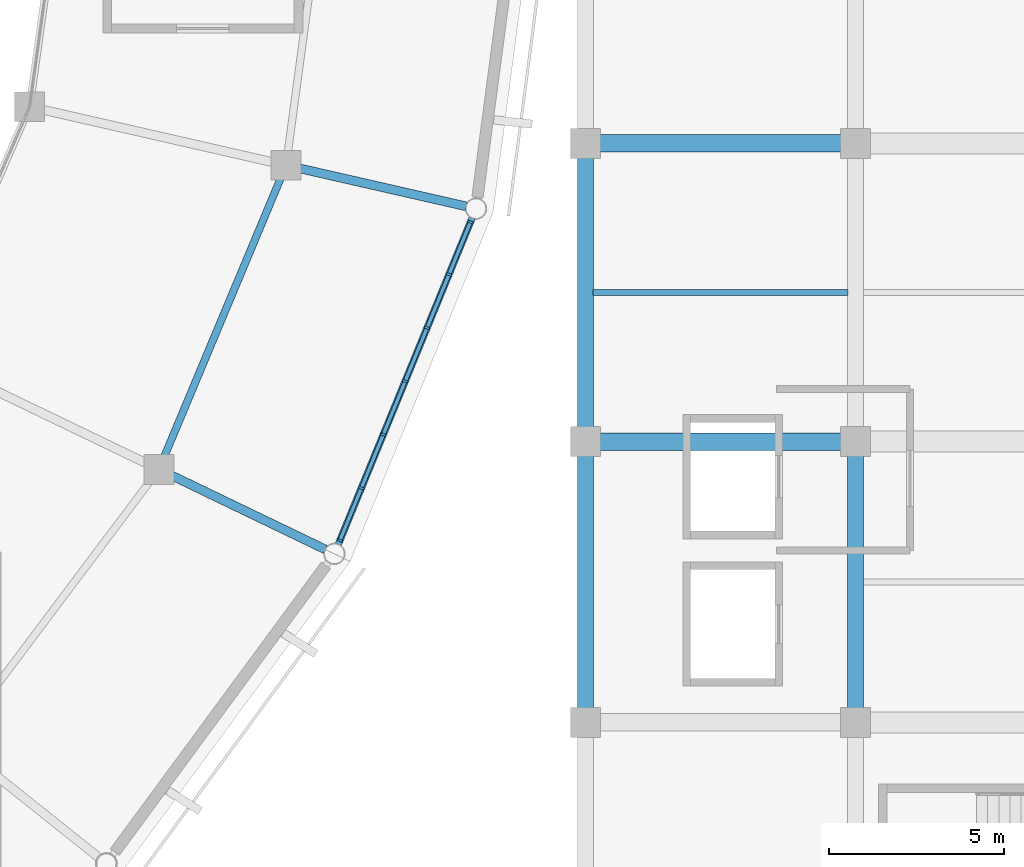
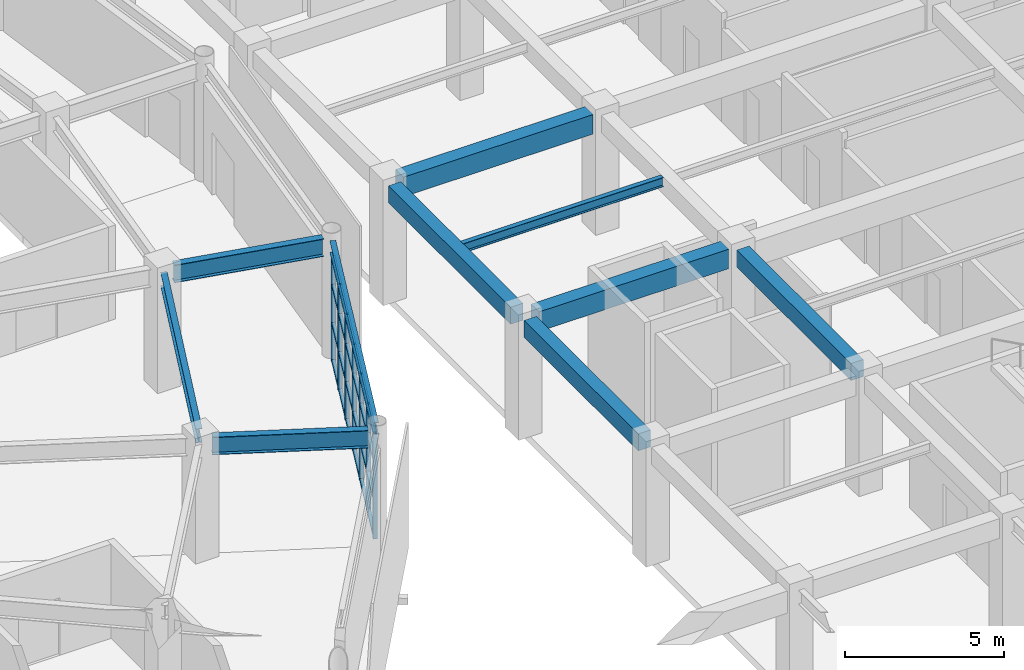
# One storey, part 54 of 112: 31 members, 10 beams, 1 element without a shape of its own.
"""IFC4 building model written with IfcOpenShell, lengths in metres."""

from ifc_helpers import new_model, si_unit, direction, frame, origin, origin_2d, place, context, subcontext, project, spatial, rectangle, i_section, extrude, material, material_profile, profile_set, type_object, element, aggregate, save


model = new_model("IFC4")

# Units and contexts
model_context = context("Model", 3, precision=1e-05, world=origin(), true_north=direction((0.0, 1.0)))
body_context = subcontext(model_context, "Body", "Model", "MODEL_VIEW")
ifc_project = project(units=[si_unit("LENGTHUNIT", "METRE"), si_unit("AREAUNIT", "SQUARE_METRE"), si_unit("VOLUMEUNIT", "CUBIC_METRE"), si_unit("PLANEANGLEUNIT", "RADIAN"), si_unit("MASSUNIT", "GRAM", prefix="KILO")], contexts=[model_context])

# Site, building, storey
site_placement = place(None, origin())
site = spatial("IfcSite", under=ifc_project, at=site_placement, CompositionType="ELEMENT")
building_placement = place(site_placement, origin())
building = spatial("IfcBuilding", under=site, at=building_placement, Name="Cuetzalor Civic Arena", CompositionType="ELEMENT")
storey_placement = place(building_placement, frame((0.0, 0.0, 11.39990234375)))
storey = spatial("IfcBuildingStorey", under=building, at=storey_placement, Name="L02", CompositionType="ELEMENT", Elevation=11.39990234375)

# Beams
ifc_material_1 = material(Name="Concrete C40/50", Category="concrete")
ifc_material_profile_1 = material_profile(ifc_material_1, rectangle(XDim=0.5, YDim=0.75, at=origin_2d()), Name="RC 500x750")
ifc_profile_set_1 = profile_set([ifc_material_profile_1], Name="Concrete C40/50")
beam_type_1 = type_object("IfcBeamType", Name="ConcreteFrameBeam_500x750", PredefinedType="BEAM", material=ifc_profile_set_1)
for number, where, z_axis, x_axis, name in (
    (1, (56.715087890625, -17.0, 4.14501953125), (1.0, 0.0, 0.0), (0.0, 1.0, 0.0), "Frame Girder V4E-L02-X0715"),
    (2, (56.715087890625, -8.5, 4.14501953125), (1.0, 0.0, 0.0), (0.0, 1.0, 0.0), "Frame Girder V4E-L02-X0718"),
):
    element("IfcBeam", number, at=place(storey_placement, frame(where, z_axis=z_axis, x_axis=x_axis)), inside=storey, type_object=beam_type_1, Name=name, PredefinedType="BEAM", context=body_context, shape_type="SweptSolid", body=[
        extrude(rectangle(XDim=0.5, YDim=0.75, at=origin_2d()), origin(), (0.0, 0.0, 1.0), 6.869873046875),
    ])
ifc_material_2 = material(Name="Concrete C40/50", Category="concrete")
ifc_material_profile_2 = material_profile(ifc_material_2, rectangle(XDim=0.449951171875, YDim=0.64990234375, at=origin_2d()), Name="RC 450x650")
ifc_profile_set_2 = profile_set([ifc_material_profile_2], Name="Concrete C40/50")
beam_type_2 = type_object("IfcBeamType", Name="ConcreteTieBeam_450x650", PredefinedType="BEAM", material=ifc_profile_set_2)
beam_1_placement = place(storey_placement, frame((56.300048828125, -24.5849609375, 4.195068359375), z_axis=(0.0, 1.0, 0.0), x_axis=(-1.0, 0.0, 0.0)))
element("IfcBeam", 3, at=beam_1_placement, inside=storey, type_object=beam_type_2, Name="Frame Girder V4E-L02-Y0741", PredefinedType="BEAM", context=body_context, shape_type="SweptSolid", body=[
    extrude(rectangle(XDim=0.449951171875, YDim=0.64990234375, at=origin_2d()), origin(), (0.0, 0.0, 1.0), 7.169921875),
])
beam_2_placement = place(storey_placement, frame((56.300048828125, -16.5849609375, 4.195068359375), z_axis=(0.0, 1.0, 0.0), x_axis=(-1.0, 0.0, 0.0)))
element("IfcBeam", 4, at=beam_2_placement, inside=storey, type_object=beam_type_2, Name="Frame Girder V4E-L02-Y0742", PredefinedType="BEAM", context=body_context, shape_type="SweptSolid", body=[
    extrude(rectangle(XDim=0.449951171875, YDim=0.64990234375, at=origin_2d()), origin(), (0.0, 0.0, 1.0), 7.669921875),
])
beam_3_placement = place(storey_placement, frame((64.0, -24.5849609375, 4.195068359375), z_axis=(0.0, 1.0, 0.0), x_axis=(-1.0, 0.0, 0.0)))
element("IfcBeam", 5, at=beam_3_placement, inside=storey, type_object=beam_type_2, Name="Frame Girder V4E-L02-Y0751", PredefinedType="BEAM", context=body_context, shape_type="SweptSolid", body=[
    extrude(rectangle(XDim=0.449951171875, YDim=0.64990234375, at=origin_2d()), origin(), (0.0, 0.0, 1.0), 7.169921875),
])

# Curtain wall, members
ifc_material_3 = material(Name="Anodised dark bronze aluminium and low-E solar glass", Category="aluminium")
curtain_wall_type = type_object("IfcCurtainWallType", Name="UnitisedCW_9850x4050", PredefinedType="USERDEFINED", material=ifc_material_3)
curtain_wall_placement = place(storey_placement, origin())
curtain_wall = element("IfcCurtainWall", 6, at=curtain_wall_placement, inside=storey, type_object=curtain_wall_type, Name="Drum Triangle Foyer Curtain Wall L02-044", ObjectType="UNITISED CURTAIN WALL", PredefinedType="USERDEFINED")
ifc_material_4 = material(Name="Anodised dark bronze aluminium", Category="aluminium")
ifc_material_profile_3 = material_profile(ifc_material_4, rectangle(XDim=0.06494140625, YDim=0.14990234375, at=origin_2d()), Name="ALU MULLION 65x150")
ifc_profile_set_3 = profile_set([ifc_material_profile_3], Name="Anodised dark bronze aluminium")
member_type_1 = type_object("IfcMemberType", Name="CurtainWallMullion_60x150", PredefinedType="MULLION", material=ifc_profile_set_3)
member_1_placement = place(storey_placement, frame((53.02587890625, -10.739990234375, 0.0), z_axis=(0.0, 0.0, 1.0), x_axis=(-0.379391428583, -0.925236263836, 0.0)))
member_1 = element("IfcMember", 7, at=member_1_placement, type_object=member_type_1, Name="CW-17 mullion 1", PredefinedType="MULLION", context=body_context, shape_type="SweptSolid", body=[
    extrude(rectangle(XDim=0.06494140625, YDim=0.14990234375, at=origin_2d()), origin(), (0.0, 0.0, 1.0), 4.052978515625),
])
member_2_placement = place(storey_placement, frame((52.413818359375, -12.232421875, 0.0), z_axis=(0.0, 0.0, 1.0), x_axis=(-0.379391428583, -0.925236263836, 0.0)))
member_2 = element("IfcMember", 8, at=member_2_placement, type_object=member_type_1, Name="CW-17 mullion 2", PredefinedType="MULLION", context=body_context, shape_type="SweptSolid", body=[
    extrude(rectangle(XDim=0.06494140625, YDim=0.14990234375, at=origin_2d()), origin(), (0.0, 0.0, 1.0), 4.052978515625),
])
member_3_placement = place(storey_placement, frame((51.78955078125, -13.755126953125, 0.0), z_axis=(0.0, 0.0, 1.0), x_axis=(-0.379391428583, -0.925236263836, 0.0)))
member_3 = element("IfcMember", 9, at=member_3_placement, type_object=member_type_1, Name="CW-17 mullion 3", PredefinedType="MULLION", context=body_context, shape_type="SweptSolid", body=[
    extrude(rectangle(XDim=0.06494140625, YDim=0.14990234375, at=origin_2d()), origin(), (0.0, 0.0, 1.0), 4.052978515625),
])
member_4_placement = place(storey_placement, frame((51.1650390625, -15.27783203125, 0.0), z_axis=(0.0, 0.0, 1.0), x_axis=(-0.379391428583, -0.925236263836, 0.0)))
member_4 = element("IfcMember", 10, at=member_4_placement, type_object=member_type_1, Name="CW-17 mullion 4", PredefinedType="MULLION", context=body_context, shape_type="SweptSolid", body=[
    extrude(rectangle(XDim=0.06494140625, YDim=0.14990234375, at=origin_2d()), origin(), (0.0, 0.0, 1.0), 4.052978515625),
])
member_5_placement = place(storey_placement, frame((50.540771484375, -16.800537109375, 0.0), z_axis=(0.0, 0.0, 1.0), x_axis=(-0.379391428583, -0.925236263836, 0.0)))
member_5 = element("IfcMember", 11, at=member_5_placement, type_object=member_type_1, Name="CW-17 mullion 5", PredefinedType="MULLION", context=body_context, shape_type="SweptSolid", body=[
    extrude(rectangle(XDim=0.06494140625, YDim=0.14990234375, at=origin_2d()), origin(), (0.0, 0.0, 1.0), 4.052978515625),
])
member_6_placement = place(storey_placement, frame((49.916259765625, -18.3232421875, 0.0), z_axis=(0.0, 0.0, 1.0), x_axis=(-0.379391428583, -0.925236263836, 0.0)))
member_6 = element("IfcMember", 12, at=member_6_placement, type_object=member_type_1, Name="CW-17 mullion 6", PredefinedType="MULLION", context=body_context, shape_type="SweptSolid", body=[
    extrude(rectangle(XDim=0.06494140625, YDim=0.14990234375, at=origin_2d()), origin(), (0.0, 0.0, 1.0), 4.052978515625),
])
member_7_placement = place(storey_placement, frame((49.304443359375, -19.815673828125, 0.0), z_axis=(0.0, 0.0, 1.0), x_axis=(-0.379391428583, -0.925236263836, 0.0)))
member_7 = element("IfcMember", 13, at=member_7_placement, type_object=member_type_1, Name="CW-17 mullion 7", PredefinedType="MULLION", context=body_context, shape_type="SweptSolid", body=[
    extrude(rectangle(XDim=0.06494140625, YDim=0.14990234375, at=origin_2d()), origin(), (0.0, 0.0, 1.0), 4.052978515625),
])
ifc_material_5 = material(Name="Anodised dark bronze aluminium", Category="aluminium")
ifc_material_profile_4 = material_profile(ifc_material_5, rectangle(XDim=0.1201171875, YDim=0.06494140625, at=origin_2d()), Name="ALU TRANSOM 65x120")
ifc_profile_set_4 = profile_set([ifc_material_profile_4], Name="Anodised dark bronze aluminium")
member_type_2 = type_object("IfcMemberType", Name="CurtainWallTransom_60x120", PredefinedType="USERDEFINED", material=ifc_profile_set_4)
member_8_placement = place(storey_placement, frame((53.013427734375, -10.77001953125, 0.03271484375), z_axis=(-0.37928982406, -0.925277920067, 0.0), x_axis=(0.925277920067, -0.37928982406, 0.0)))
member_8 = element("IfcMember", 14, at=member_8_placement, type_object=member_type_2, Name="CW-17 transom 1.1", ObjectType="TRANSOM", PredefinedType="USERDEFINED", context=body_context, shape_type="SweptSolid", body=[
    extrude(rectangle(XDim=0.1201171875, YDim=0.06494140625, at=origin_2d()), origin(), (0.0, 0.0, 1.0), 1.548095703125),
])
member_9_placement = place(storey_placement, frame((53.013427734375, -10.77001953125, 1.458984375), z_axis=(-0.37928982406, -0.925277920067, 0.0), x_axis=(0.925277920067, -0.37928982406, 0.0)))
member_9 = element("IfcMember", 15, at=member_9_placement, type_object=member_type_2, Name="CW-17 transom 1.2", ObjectType="TRANSOM", PredefinedType="USERDEFINED", context=body_context, shape_type="SweptSolid", body=[
    extrude(rectangle(XDim=0.1201171875, YDim=0.06494140625, at=origin_2d()), origin(), (0.0, 0.0, 1.0), 1.548095703125),
])
member_10_placement = place(storey_placement, frame((53.013427734375, -10.77001953125, 2.918212890625), z_axis=(-0.37928982406, -0.925277920067, 0.0), x_axis=(0.925277920067, -0.37928982406, 0.0)))
member_10 = element("IfcMember", 16, at=member_10_placement, type_object=member_type_2, Name="CW-17 transom 1.3", ObjectType="TRANSOM", PredefinedType="USERDEFINED", context=body_context, shape_type="SweptSolid", body=[
    extrude(rectangle(XDim=0.1201171875, YDim=0.06494140625, at=origin_2d()), origin(), (0.0, 0.0, 1.0), 1.548095703125),
])
member_11_placement = place(storey_placement, frame((53.013427734375, -10.77001953125, 4.0205078125), z_axis=(-0.37928982406, -0.925277920067, 0.0), x_axis=(0.925277920067, -0.37928982406, 0.0)))
member_11 = element("IfcMember", 17, at=member_11_placement, type_object=member_type_2, Name="CW-17 transom 1.4", ObjectType="TRANSOM", PredefinedType="USERDEFINED", context=body_context, shape_type="SweptSolid", body=[
    extrude(rectangle(XDim=0.1201171875, YDim=0.06494140625, at=origin_2d()), origin(), (0.0, 0.0, 1.0), 1.548095703125),
])
member_12_placement = place(storey_placement, frame((52.401611328125, -12.262451171875, 0.03271484375), z_axis=(-0.379444503936, -0.925214498607, 0.0), x_axis=(0.925214498607, -0.379444503936, 0.0)))
member_12 = element("IfcMember", 18, at=member_12_placement, type_object=member_type_2, Name="CW-17 transom 2.1", ObjectType="TRANSOM", PredefinedType="USERDEFINED", context=body_context, shape_type="SweptSolid", body=[
    extrude(rectangle(XDim=0.1201171875, YDim=0.06494140625, at=origin_2d()), origin(), (0.0, 0.0, 1.0), 1.580810546875),
])
member_13_placement = place(storey_placement, frame((52.401611328125, -12.262451171875, 1.458984375), z_axis=(-0.379444503936, -0.925214498607, 0.0), x_axis=(0.925214498607, -0.379444503936, 0.0)))
member_13 = element("IfcMember", 19, at=member_13_placement, type_object=member_type_2, Name="CW-17 transom 2.2", ObjectType="TRANSOM", PredefinedType="USERDEFINED", context=body_context, shape_type="SweptSolid", body=[
    extrude(rectangle(XDim=0.1201171875, YDim=0.06494140625, at=origin_2d()), origin(), (0.0, 0.0, 1.0), 1.580810546875),
])
member_14_placement = place(storey_placement, frame((52.401611328125, -12.262451171875, 2.918212890625), z_axis=(-0.379444503936, -0.925214498607, 0.0), x_axis=(0.925214498607, -0.379444503936, 0.0)))
member_14 = element("IfcMember", 20, at=member_14_placement, type_object=member_type_2, Name="CW-17 transom 2.3", ObjectType="TRANSOM", PredefinedType="USERDEFINED", context=body_context, shape_type="SweptSolid", body=[
    extrude(rectangle(XDim=0.1201171875, YDim=0.06494140625, at=origin_2d()), origin(), (0.0, 0.0, 1.0), 1.580810546875),
])
member_15_placement = place(storey_placement, frame((52.401611328125, -12.262451171875, 4.0205078125), z_axis=(-0.379444503936, -0.925214498607, 0.0), x_axis=(0.925214498607, -0.379444503936, 0.0)))
member_15 = element("IfcMember", 21, at=member_15_placement, type_object=member_type_2, Name="CW-17 transom 2.4", ObjectType="TRANSOM", PredefinedType="USERDEFINED", context=body_context, shape_type="SweptSolid", body=[
    extrude(rectangle(XDim=0.1201171875, YDim=0.06494140625, at=origin_2d()), origin(), (0.0, 0.0, 1.0), 1.580810546875),
])
member_16_placement = place(storey_placement, frame((51.777099609375, -13.78515625, 0.03271484375), z_axis=(-0.379312293377, -0.925268709129, 0.0), x_axis=(0.925268709129, -0.379312293377, 0.0)))
member_16 = element("IfcMember", 22, at=member_16_placement, type_object=member_type_2, Name="CW-17 transom 3.1", ObjectType="TRANSOM", PredefinedType="USERDEFINED", context=body_context, shape_type="SweptSolid", body=[
    extrude(rectangle(XDim=0.1201171875, YDim=0.06494140625, at=origin_2d()), origin(), (0.0, 0.0, 1.0), 1.580810546875),
])
member_17_placement = place(storey_placement, frame((51.777099609375, -13.78515625, 1.458984375), z_axis=(-0.379312293377, -0.925268709129, 0.0), x_axis=(0.925268709129, -0.379312293377, 0.0)))
member_17 = element("IfcMember", 23, at=member_17_placement, type_object=member_type_2, Name="CW-17 transom 3.2", ObjectType="TRANSOM", PredefinedType="USERDEFINED", context=body_context, shape_type="SweptSolid", body=[
    extrude(rectangle(XDim=0.1201171875, YDim=0.06494140625, at=origin_2d()), origin(), (0.0, 0.0, 1.0), 1.580810546875),
])
member_18_placement = place(storey_placement, frame((51.777099609375, -13.78515625, 2.918212890625), z_axis=(-0.379312293377, -0.925268709129, 0.0), x_axis=(0.925268709129, -0.379312293377, 0.0)))
member_18 = element("IfcMember", 24, at=member_18_placement, type_object=member_type_2, Name="CW-17 transom 3.3", ObjectType="TRANSOM", PredefinedType="USERDEFINED", context=body_context, shape_type="SweptSolid", body=[
    extrude(rectangle(XDim=0.1201171875, YDim=0.06494140625, at=origin_2d()), origin(), (0.0, 0.0, 1.0), 1.580810546875),
])
member_19_placement = place(storey_placement, frame((51.777099609375, -13.78515625, 4.0205078125), z_axis=(-0.379312293377, -0.925268709129, 0.0), x_axis=(0.925268709129, -0.379312293377, 0.0)))
member_19 = element("IfcMember", 25, at=member_19_placement, type_object=member_type_2, Name="CW-17 transom 3.4", ObjectType="TRANSOM", PredefinedType="USERDEFINED", context=body_context, shape_type="SweptSolid", body=[
    extrude(rectangle(XDim=0.1201171875, YDim=0.06494140625, at=origin_2d()), origin(), (0.0, 0.0, 1.0), 1.580810546875),
])
member_20_placement = place(storey_placement, frame((51.15283203125, -15.307861328125, 0.03271484375), z_axis=(-0.379444503936, -0.925214498607, 0.0), x_axis=(0.925214498607, -0.379444503936, 0.0)))
member_20 = element("IfcMember", 26, at=member_20_placement, type_object=member_type_2, Name="CW-17 transom 4.1", ObjectType="TRANSOM", PredefinedType="USERDEFINED", context=body_context, shape_type="SweptSolid", body=[
    extrude(rectangle(XDim=0.1201171875, YDim=0.06494140625, at=origin_2d()), origin(), (0.0, 0.0, 1.0), 1.580810546875),
])
member_21_placement = place(storey_placement, frame((51.15283203125, -15.307861328125, 1.458984375), z_axis=(-0.379444503936, -0.925214498607, 0.0), x_axis=(0.925214498607, -0.379444503936, 0.0)))
member_21 = element("IfcMember", 27, at=member_21_placement, type_object=member_type_2, Name="CW-17 transom 4.2", ObjectType="TRANSOM", PredefinedType="USERDEFINED", context=body_context, shape_type="SweptSolid", body=[
    extrude(rectangle(XDim=0.1201171875, YDim=0.06494140625, at=origin_2d()), origin(), (0.0, 0.0, 1.0), 1.580810546875),
])
member_22_placement = place(storey_placement, frame((51.15283203125, -15.307861328125, 2.918212890625), z_axis=(-0.379444503936, -0.925214498607, 0.0), x_axis=(0.925214498607, -0.379444503936, 0.0)))
member_22 = element("IfcMember", 28, at=member_22_placement, type_object=member_type_2, Name="CW-17 transom 4.3", ObjectType="TRANSOM", PredefinedType="USERDEFINED", context=body_context, shape_type="SweptSolid", body=[
    extrude(rectangle(XDim=0.1201171875, YDim=0.06494140625, at=origin_2d()), origin(), (0.0, 0.0, 1.0), 1.580810546875),
])
member_23_placement = place(storey_placement, frame((51.15283203125, -15.307861328125, 4.0205078125), z_axis=(-0.379444503936, -0.925214498607, 0.0), x_axis=(0.925214498607, -0.379444503936, 0.0)))
member_23 = element("IfcMember", 29, at=member_23_placement, type_object=member_type_2, Name="CW-17 transom 4.4", ObjectType="TRANSOM", PredefinedType="USERDEFINED", context=body_context, shape_type="SweptSolid", body=[
    extrude(rectangle(XDim=0.1201171875, YDim=0.06494140625, at=origin_2d()), origin(), (0.0, 0.0, 1.0), 1.580810546875),
])
member_24_placement = place(storey_placement, frame((50.5283203125, -16.83056640625, 0.03271484375), z_axis=(-0.379366504724, -0.925246483427, 0.0), x_axis=(0.925246483427, -0.379366504724, 0.0)))
member_24 = element("IfcMember", 30, at=member_24_placement, type_object=member_type_2, Name="CW-17 transom 5.1", ObjectType="TRANSOM", PredefinedType="USERDEFINED", context=body_context, shape_type="SweptSolid", body=[
    extrude(rectangle(XDim=0.1201171875, YDim=0.06494140625, at=origin_2d()), origin(), (0.0, 0.0, 1.0), 1.58056640625),
])
member_25_placement = place(storey_placement, frame((50.5283203125, -16.83056640625, 1.458984375), z_axis=(-0.379366504724, -0.925246483427, 0.0), x_axis=(0.925246483427, -0.379366504724, 0.0)))
member_25 = element("IfcMember", 31, at=member_25_placement, type_object=member_type_2, Name="CW-17 transom 5.2", ObjectType="TRANSOM", PredefinedType="USERDEFINED", context=body_context, shape_type="SweptSolid", body=[
    extrude(rectangle(XDim=0.1201171875, YDim=0.06494140625, at=origin_2d()), origin(), (0.0, 0.0, 1.0), 1.58056640625),
])
member_26_placement = place(storey_placement, frame((50.5283203125, -16.83056640625, 2.918212890625), z_axis=(-0.379366504724, -0.925246483427, 0.0), x_axis=(0.925246483427, -0.379366504724, 0.0)))
member_26 = element("IfcMember", 32, at=member_26_placement, type_object=member_type_2, Name="CW-17 transom 5.3", ObjectType="TRANSOM", PredefinedType="USERDEFINED", context=body_context, shape_type="SweptSolid", body=[
    extrude(rectangle(XDim=0.1201171875, YDim=0.06494140625, at=origin_2d()), origin(), (0.0, 0.0, 1.0), 1.58056640625),
])
member_27_placement = place(storey_placement, frame((50.5283203125, -16.83056640625, 4.0205078125), z_axis=(-0.379366504724, -0.925246483427, 0.0), x_axis=(0.925246483427, -0.379366504724, 0.0)))
member_27 = element("IfcMember", 33, at=member_27_placement, type_object=member_type_2, Name="CW-17 transom 5.4", ObjectType="TRANSOM", PredefinedType="USERDEFINED", context=body_context, shape_type="SweptSolid", body=[
    extrude(rectangle(XDim=0.1201171875, YDim=0.06494140625, at=origin_2d()), origin(), (0.0, 0.0, 1.0), 1.58056640625),
])
member_28_placement = place(storey_placement, frame((49.904052734375, -18.353271484375, 0.03271484375), z_axis=(-0.379424832692, -0.925222565838, 0.0), x_axis=(0.925222565838, -0.379424832692, 0.0)))
member_28 = element("IfcMember", 34, at=member_28_placement, type_object=member_type_2, Name="CW-17 transom 6.1", ObjectType="TRANSOM", PredefinedType="USERDEFINED", context=body_context, shape_type="SweptSolid", body=[
    extrude(rectangle(XDim=0.1201171875, YDim=0.06494140625, at=origin_2d()), origin(), (0.0, 0.0, 1.0), 1.548095703125),
])
member_29_placement = place(storey_placement, frame((49.904052734375, -18.353271484375, 1.458984375), z_axis=(-0.379424832692, -0.925222565838, 0.0), x_axis=(0.925222565838, -0.379424832692, 0.0)))
member_29 = element("IfcMember", 35, at=member_29_placement, type_object=member_type_2, Name="CW-17 transom 6.2", ObjectType="TRANSOM", PredefinedType="USERDEFINED", context=body_context, shape_type="SweptSolid", body=[
    extrude(rectangle(XDim=0.1201171875, YDim=0.06494140625, at=origin_2d()), origin(), (0.0, 0.0, 1.0), 1.548095703125),
])
member_30_placement = place(storey_placement, frame((49.904052734375, -18.353271484375, 2.918212890625), z_axis=(-0.379424832692, -0.925222565838, 0.0), x_axis=(0.925222565838, -0.379424832692, 0.0)))
member_30 = element("IfcMember", 36, at=member_30_placement, type_object=member_type_2, Name="CW-17 transom 6.3", ObjectType="TRANSOM", PredefinedType="USERDEFINED", context=body_context, shape_type="SweptSolid", body=[
    extrude(rectangle(XDim=0.1201171875, YDim=0.06494140625, at=origin_2d()), origin(), (0.0, 0.0, 1.0), 1.548095703125),
])
member_31_placement = place(storey_placement, frame((49.904052734375, -18.353271484375, 4.0205078125), z_axis=(-0.379424832692, -0.925222565838, 0.0), x_axis=(0.925222565838, -0.379424832692, 0.0)))
member_31 = element("IfcMember", 37, at=member_31_placement, type_object=member_type_2, Name="CW-17 transom 6.4", ObjectType="TRANSOM", PredefinedType="USERDEFINED", context=body_context, shape_type="SweptSolid", body=[
    extrude(rectangle(XDim=0.1201171875, YDim=0.06494140625, at=origin_2d()), origin(), (0.0, 0.0, 1.0), 1.548095703125),
])
aggregate(curtain_wall, [member_1, member_2, member_3, member_4, member_5, member_6, member_7, member_8, member_9, member_10, member_11, member_12, member_13, member_14, member_15, member_16, member_17, member_18, member_19, member_20, member_21, member_22, member_23, member_24, member_25, member_26, member_27, member_28, member_29, member_30, member_31])

# Beams
ifc_material_6 = material(Name="Steel S355", Category="steel")
ifc_material_profile_5 = material_profile(ifc_material_6, i_section(OverallWidth=0.18994140625, OverallDepth=0.45703125, WebThickness=0.009033203125, FlangeThickness=0.014404296875, at=origin_2d()), Name="W460x74")
ifc_profile_set_5 = profile_set([ifc_material_profile_5], Name="Steel S355")
beam_type_3 = type_object("IfcBeamType", Name="FacadeSpandrelBeam_W460", PredefinedType="SPANDREL", material=ifc_profile_set_5)
beam_4_placement = place(storey_placement, frame((49.2578125, -19.928955078125, 4.29150390625), z_axis=(0.379398599643, 0.925233323324, 0.0), x_axis=(-0.925233323324, 0.379398599643, 0.0)))
element("IfcBeam", 38, at=beam_4_placement, inside=storey, type_object=beam_type_3, Name="Drum Perimeter Spandrel L02-S27", PredefinedType="SPANDREL", context=body_context, shape_type="SweptSolid", body=[
    extrude(i_section(OverallWidth=0.18994140625, OverallDepth=0.45703125, WebThickness=0.009033203125, FlangeThickness=0.014404296875, at=origin_2d()), origin(), (0.0, 0.0, 1.0), 10.053955078125),
])
ifc_material_7 = material(Name="Steel S355", Category="steel")
ifc_material_profile_6 = material_profile(ifc_material_7, i_section(OverallWidth=0.1708984375, OverallDepth=0.35498046875, WebThickness=0.007080078125, FlangeThickness=0.01171875, at=origin_2d()), Name="W360x51")
ifc_profile_set_6 = profile_set([ifc_material_profile_6], Name="Steel S355")
beam_type_4 = type_object("IfcBeamType", Name="SecondaryFloorJoist_W360", PredefinedType="JOIST", material=ifc_profile_set_6)
beam_5_placement = place(storey_placement, frame((56.51708984375, -12.75, 4.342529296875), z_axis=(1.0, 0.0, 0.0), x_axis=(0.0, 1.0, 0.0)))
element("IfcBeam", 39, at=beam_5_placement, inside=storey, type_object=beam_type_4, Name="Secondary Floor Joist V4E-L02-0222", PredefinedType="JOIST", context=body_context, shape_type="SweptSolid", body=[
    extrude(i_section(OverallWidth=0.1708984375, OverallDepth=0.35498046875, WebThickness=0.007080078125, FlangeThickness=0.01171875, at=origin_2d()), origin(), (0.0, 0.0, 1.0), 7.265869140625),
])
ifc_material_8 = material(Name="Steel S355", Category="steel")
ifc_material_profile_7 = material_profile(ifc_material_8, i_section(OverallWidth=0.208984375, OverallDepth=0.532958984375, WebThickness=0.01025390625, FlangeThickness=0.015625, at=origin_2d()), Name="W530x92")
ifc_profile_set_7 = profile_set([ifc_material_profile_7], Name="Steel S355")
beam_type_5 = type_object("IfcBeamType", Name="SteelCollarGirder_W530", PredefinedType="BEAM", material=ifc_profile_set_7)
beam_6_placement = place(storey_placement, frame((44.290283203125, -17.44775390625, 4.253662109375), z_axis=(0.385813116722, 0.922576955579, 0.0), x_axis=(-0.922576955579, 0.385813116722, 0.0)))
element("IfcBeam", 40, at=beam_6_placement, inside=storey, type_object=beam_type_5, Name="Drum Concourse Ring Girder L02-S27", PredefinedType="BEAM", context=body_context, shape_type="SweptSolid", body=[
    extrude(i_section(OverallWidth=0.208984375, OverallDepth=0.532958984375, WebThickness=0.01025390625, FlangeThickness=0.015625, at=origin_2d()), origin(), (0.0, 0.0, 1.0), 8.65283203125),
])
ifc_material_9 = material(Name="Steel S355", Category="steel")
ifc_material_profile_8 = material_profile(ifc_material_9, i_section(OverallWidth=0.2529296875, OverallDepth=0.677978515625, WebThickness=0.01171875, FlangeThickness=0.016357421875, at=origin_2d()), Name="W690x125")
ifc_profile_set_8 = profile_set([ifc_material_profile_8], Name="Steel S355")
beam_type_6 = type_object("IfcBeamType", Name="SteelPrimaryGirder_W690", PredefinedType="BEAM", material=ifc_profile_set_8)
beam_7_placement = place(storey_placement, frame((44.4716796875, -17.9453125, 4.18115234375), z_axis=(0.900964883231, -0.433892013275, 0.0), x_axis=(0.433892013275, 0.900964883231, 0.0)))
element("IfcBeam", 41, at=beam_7_placement, inside=storey, type_object=beam_type_6, Name="Drum Radial Girder L02-R27", PredefinedType="BEAM", context=body_context, shape_type="SweptSolid", body=[
    extrude(i_section(OverallWidth=0.2529296875, OverallDepth=0.677978515625, WebThickness=0.01171875, FlangeThickness=0.016357421875, at=origin_2d()), origin(), (0.0, 0.0, 1.0), 4.900390625),
])
beam_8_placement = place(storey_placement, frame((48.12255859375, -9.20361328125, 4.18115234375), z_axis=(0.974939153271, -0.222471677792, 0.0), x_axis=(0.222471677792, 0.974939153271, 0.0)))
element("IfcBeam", 42, at=beam_8_placement, inside=storey, type_object=beam_type_6, Name="Drum Radial Girder L02-R28", PredefinedType="BEAM", context=body_context, shape_type="SweptSolid", body=[
    extrude(i_section(OverallWidth=0.2529296875, OverallDepth=0.677978515625, WebThickness=0.01171875, FlangeThickness=0.016357421875, at=origin_2d()), origin(), (0.0, 0.0, 1.0), 4.89990234375),
])

save(model, "model.ifc")
